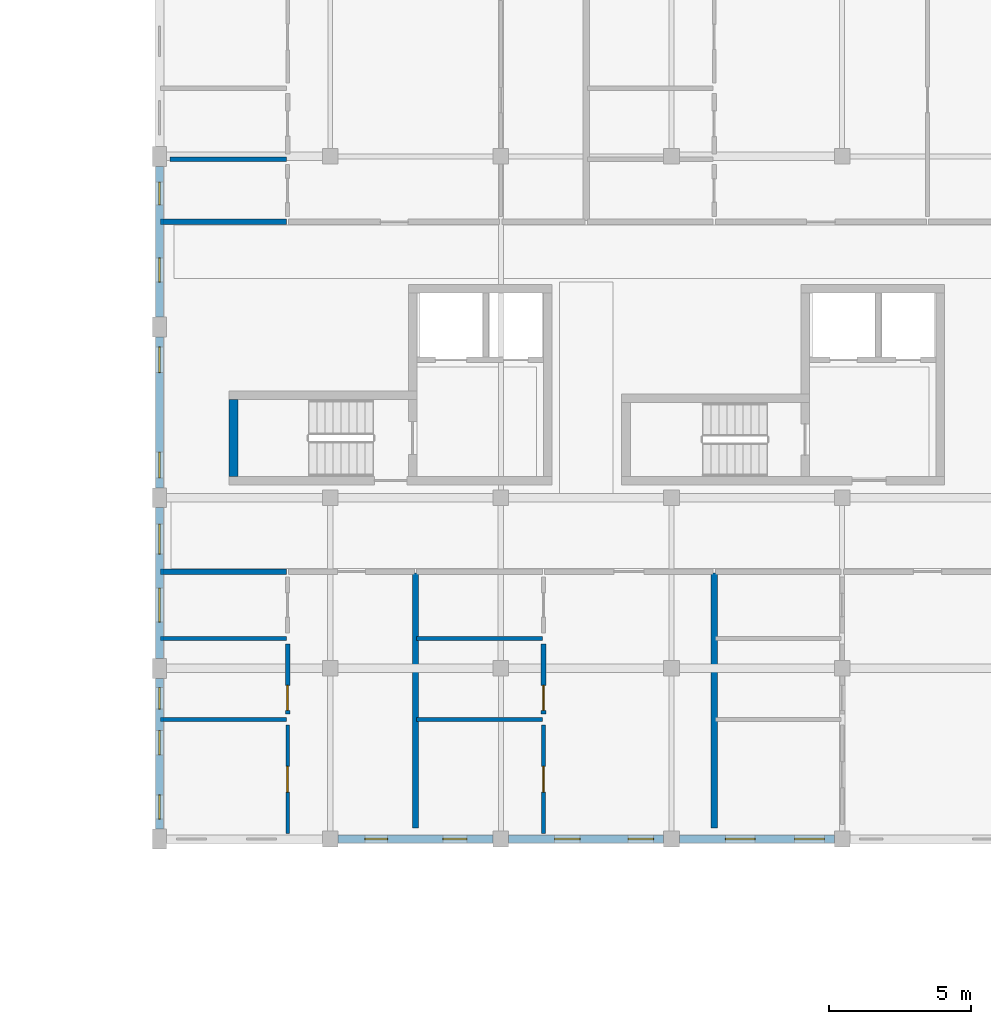
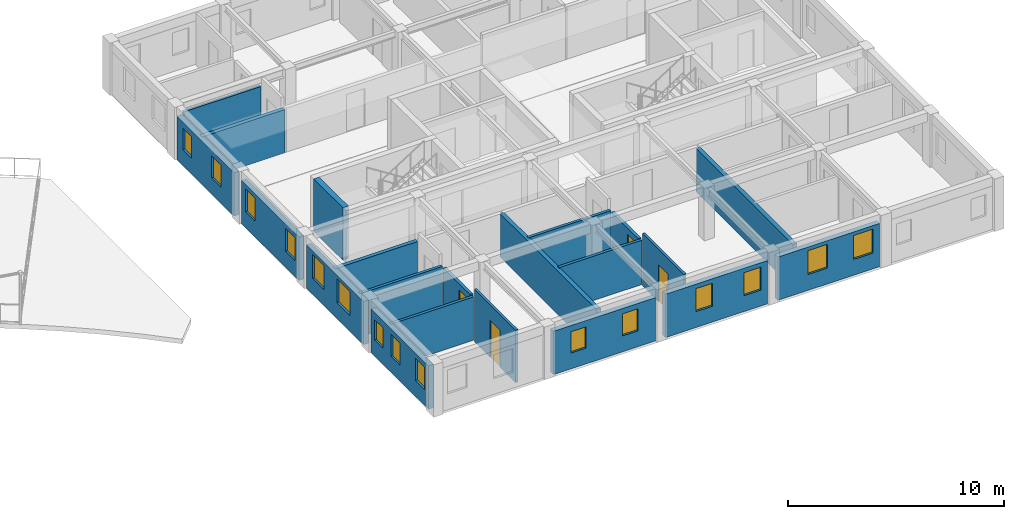
# One storey, part 40 of 58: 21 walls, 15 windows, 4 doors, 19 openings.
"""IFC4 building model written with IfcOpenShell, lengths in metres."""

from ifc_helpers import new_model, si_unit, direction, frame, frame_2d, origin, place, context, subcontext, project, spatial, rectangle, extrude, material, layer, layer_set, type_object, element, fill, save


model = new_model("IFC4")

# Units and contexts
model_context = context("Model", 3, precision=1e-05, world=origin(), true_north=direction((0.0, 1.0)))
body_context = subcontext(model_context, "Body", "Model", "MODEL_VIEW")
ifc_project = project(units=[si_unit("LENGTHUNIT", "METRE"), si_unit("AREAUNIT", "SQUARE_METRE"), si_unit("VOLUMEUNIT", "CUBIC_METRE"), si_unit("PLANEANGLEUNIT", "RADIAN"), si_unit("MASSUNIT", "GRAM", prefix="KILO"), si_unit("POWERUNIT", "WATT"), si_unit("THERMODYNAMICTEMPERATUREUNIT", "KELVIN")], contexts=[model_context])

# Site, building, storey
site_placement = place(None, origin())
site = spatial("IfcSite", under=ifc_project, at=site_placement, CompositionType="ELEMENT")
building_placement = place(site_placement, origin())
building = spatial("IfcBuilding", under=site, at=building_placement, Name="Ruvembo Vaulted Housing Court", CompositionType="ELEMENT")
storey_placement = place(building_placement, frame((0.0, 0.0, 20.5)))
storey = spatial("IfcBuildingStorey", under=building, at=storey_placement, Name="L06", CompositionType="ELEMENT", Elevation=20.5)

# Walls
ifc_material_1 = material(Name="Concrete C35/45", Category="concrete")
ifc_layer_1 = layer(ifc_material_1, 0.300048828125, Name="Concrete C35/45")
ifc_layer_set_1 = layer_set([ifc_layer_1], Name="Concrete C35/45")
wall_type_1 = type_object("IfcWallType", Name="WL-CORE-300", PredefinedType="SHEAR", material=ifc_layer_set_1)
wall_1_placement = place(storey_placement, frame((158.60009765625, 87.449951171875, 0.0), z_axis=(0.0, 0.0, 1.0), x_axis=(0.0, -1.0, 0.0)))
element("IfcWall", 1, at=wall_1_placement, inside=storey, type_object=wall_type_1, Name="Core D1 L06 Stair West Shear Wall", PredefinedType="SHEAR", context=body_context, shape_type="SweptSolid", body=[
    extrude(rectangle(XDim=2.699951171875, YDim=0.300048828125, at=frame_2d((1.35009765625, 0.0))), origin(), (0.0, 0.0, 1.0), 2.969970703125),
])
ifc_material_2 = material(Name="Concrete Blockwork 200", Category="masonry")
ifc_layer_2 = layer(ifc_material_2, 0.199951171875, Name="Concrete Blockwork 200")
ifc_layer_set_2 = layer_set([ifc_layer_2], Name="Concrete Blockwork 200")
wall_type_2 = type_object("IfcWallType", Name="WL-CORR-200", PredefinedType="SOLIDWALL", material=ifc_layer_set_2)
for number, where, z_axis, x_axis, name in (
    (2, (156.0400390625, 81.39990234375, 0.0), (0.0, 0.0, 1.0), (1.0, 0.0, 0.0), "L06 Flat D-L06-S1 Corridor Wall WL-INT-L06-01821"),
    (3, (156.0400390625, 93.699951171875, 0.0), (0.0, 0.0, 1.0), (1.0, 0.0, 0.0), "L06 Flat D-L06-N1 Corridor Wall WL-INT-L06-01844"),
):
    element("IfcWall", number, at=place(storey_placement, frame(where, z_axis=z_axis, x_axis=x_axis)), inside=storey, type_object=wall_type_2, Name=name, PredefinedType="SOLIDWALL", context=body_context, shape_type="SweptSolid", body=[
        extrude(rectangle(XDim=4.419921875, YDim=0.199951171875, at=frame_2d((2.2099609375, 0.0))), origin(), (0.0, 0.0, 1.0), 2.451904296875),
    ])
ifc_material_3 = material(Name="Acoustic Masonry Demising 220", Category="masonry")
ifc_layer_3 = layer(ifc_material_3, 0.219970703125, Name="Acoustic Masonry Demising 220")
ifc_layer_set_3 = layer_set([ifc_layer_3], Name="Acoustic Masonry Demising 220")
wall_type_3 = type_object("IfcWallType", Name="WL-DEM-200", PredefinedType="SOLIDWALL", material=ifc_layer_set_3)
for number, where, z_axis, x_axis, name in (
    (4, (165.0, 72.389892578125, 0.0), (0.0, 0.0, 1.0), (0.0, 1.0, 0.0), "L06 Demising D-L06-S1 WL-INT-L06-01820"),
    (5, (175.5, 72.389892578125, 0.0), (0.0, 0.0, 1.0), (0.0, 1.0, 0.0), "L06 Demising D-L06-S2 WL-INT-L06-01828"),
):
    element("IfcWall", number, at=place(storey_placement, frame(where, z_axis=z_axis, x_axis=x_axis)), inside=storey, type_object=wall_type_3, Name=name, PredefinedType="SOLIDWALL", context=body_context, shape_type="SweptSolid", body=[
        extrude(rectangle(XDim=8.97021484375, YDim=0.219970703125, at=frame_2d((4.485107421875, 0.0))), origin(), (0.0, 0.0, 1.0), 2.451904296875),
    ])

# Wall, openings, windows
ifc_material_4 = material(Name="Rendered Masonry 270", Category="masonry")
ifc_layer_4 = layer(ifc_material_4, 0.27001953125, Name="Rendered Masonry 270")
ifc_layer_set_4 = layer_set([ifc_layer_4], Name="Rendered Masonry 270")
wall_type_4 = type_object("IfcWallType", Name="WL-EXT-270", PredefinedType="STANDARD", material=ifc_layer_set_4)
wall_2_placement = place(storey_placement, frame((162.27490234375, 72.0, 0.0), z_axis=(0.0, 0.0, 1.0), x_axis=(1.0, 0.0, 0.0)))
wall_2 = element("IfcWall", 6, at=wall_2_placement, inside=storey, type_object=wall_type_4, Name="Block D L06 Exterior Wall COURTYARD #2", PredefinedType="STANDARD", context=body_context, shape_type="SweptSolid", body=[
    extrude(rectangle(XDim=5.4501953125, YDim=0.27001953125, at=frame_2d((2.72509765625, 0.0))), origin(), (0.0, 0.0, 1.0), 2.451904296875),
])
opening_1_placement = place(wall_2_placement, frame((0.9423828125, 0.0, 0.89990234375)))
opening_1 = element("IfcOpeningElement", 7, at=opening_1_placement, cuts=wall_2, Name="Opening W02", PredefinedType="OPENING", context=body_context, shape_type="SweptSolid", body=[
    extrude(rectangle(XDim=0.800048828125, YDim=1.199951171875, at=frame_2d((0.39990234375, 0.60009765625))), frame((0.0, 0.14501953125, 0.0), z_axis=(0.0, -1.0, 0.0), x_axis=(1.0, 0.0, 0.0)), (0.0, 0.0, 1.0), 0.2900390625),
])
opening_2_placement = place(wall_2_placement, frame((3.6826171875, 0.0, 0.89990234375)))
opening_2 = element("IfcOpeningElement", 8, at=opening_2_placement, cuts=wall_2, Name="Opening W03", PredefinedType="OPENING", context=body_context, shape_type="SweptSolid", body=[
    extrude(rectangle(XDim=0.85009765625, YDim=1.25, at=frame_2d((0.425048828125, 0.625))), frame((0.0, 0.14501953125, 0.0), z_axis=(0.0, -1.0, 0.0), x_axis=(1.0, 0.0, 0.0)), (0.0, 0.0, 1.0), 0.2900390625),
])
ifc_material_5 = material(Name="Double Solar-Control Glazing in Aluminium Frame", Category="aluminium")
window_type_1 = type_object("IfcWindowType", Name="WIN-0800x1200", PartitioningType="SINGLE_PANEL", PredefinedType="WINDOW", material=ifc_material_5)
window_1_placement = place(opening_1_placement, origin())
window_1 = element("IfcWindow", 9, at=window_1_placement, inside=storey, type_object=window_type_1, Name="Block D L06 Window #1704", OverallHeight=1.199951171875, OverallWidth=0.800048828125, PartitioningType="SINGLE_PANEL", PredefinedType="WINDOW", context=body_context, shape_type="SweptSolid", body=[
    extrude(rectangle(XDim=0.800048828125, YDim=1.199951171875, at=frame_2d((0.39990234375, 0.60009765625))), frame((0.0, 0.030029296875, 0.0), z_axis=(0.0, -1.0, 0.0), x_axis=(1.0, 0.0, 0.0)), (0.0, 0.0, 1.0), 0.06005859375),
])
fill(opening_1, window_1)
window_type_2 = type_object("IfcWindowType", Name="WIN-0850x1250", PartitioningType="SINGLE_PANEL", PredefinedType="WINDOW", material=ifc_material_5)
window_2_placement = place(opening_2_placement, origin())
window_2 = element("IfcWindow", 10, at=window_2_placement, inside=storey, type_object=window_type_2, Name="Block D L06 Window #1705", OverallHeight=1.25, OverallWidth=0.85009765625, PartitioningType="SINGLE_PANEL", PredefinedType="WINDOW", context=body_context, shape_type="SweptSolid", body=[
    extrude(rectangle(XDim=0.85009765625, YDim=1.25, at=frame_2d((0.425048828125, 0.625))), frame((0.0, 0.030029296875, 0.0), z_axis=(0.0, -1.0, 0.0), x_axis=(1.0, 0.0, 0.0)), (0.0, 0.0, 1.0), 0.06005859375),
])
fill(opening_2, window_2)

wall_3_placement = place(storey_placement, frame((168.27490234375, 72.0, 0.0), z_axis=(0.0, 0.0, 1.0), x_axis=(1.0, 0.0, 0.0)))
wall_3 = element("IfcWall", 11, at=wall_3_placement, inside=storey, type_object=wall_type_4, Name="Block D L06 Exterior Wall COURTYARD #3", PredefinedType="STANDARD", context=body_context, shape_type="SweptSolid", body=[
    extrude(rectangle(XDim=5.4501953125, YDim=0.27001953125, at=frame_2d((2.72509765625, 0.0))), origin(), (0.0, 0.0, 1.0), 2.451904296875),
])
opening_3_placement = place(wall_3_placement, frame((1.614990234375, 0.0, 0.89990234375)))
opening_3 = element("IfcOpeningElement", 12, at=opening_3_placement, cuts=wall_3, Name="Opening W04", PredefinedType="OPENING", context=body_context, shape_type="SweptSolid", body=[
    extrude(rectangle(XDim=0.89990234375, YDim=1.300048828125, at=frame_2d((0.449951171875, 0.64990234375))), frame((0.0, 0.14501953125, 0.0), z_axis=(0.0, -1.0, 0.0), x_axis=(1.0, 0.0, 0.0)), (0.0, 0.0, 1.0), 0.2900390625),
])
opening_4_placement = place(wall_3_placement, frame((4.199951171875, 0.0, 0.89990234375)))
opening_4 = element("IfcOpeningElement", 13, at=opening_4_placement, cuts=wall_3, Name="Opening W04", PredefinedType="OPENING", context=body_context, shape_type="SweptSolid", body=[
    extrude(rectangle(XDim=0.89990234375, YDim=1.300048828125, at=frame_2d((0.449951171875, 0.64990234375))), frame((0.0, 0.14501953125, 0.0), z_axis=(0.0, -1.0, 0.0), x_axis=(1.0, 0.0, 0.0)), (0.0, 0.0, 1.0), 0.2900390625),
])
window_type_3 = type_object("IfcWindowType", Name="WIN-0900x1300", PartitioningType="SINGLE_PANEL", PredefinedType="WINDOW", material=ifc_material_5)
window_3_placement = place(opening_3_placement, origin())
window_3 = element("IfcWindow", 14, at=window_3_placement, inside=storey, type_object=window_type_3, Name="Block D L06 Window #1706", OverallHeight=1.300048828125, OverallWidth=0.89990234375, PartitioningType="SINGLE_PANEL", PredefinedType="WINDOW", context=body_context, shape_type="SweptSolid", body=[
    extrude(rectangle(XDim=0.89990234375, YDim=1.300048828125, at=frame_2d((0.449951171875, 0.64990234375))), frame((0.0, 0.030029296875, 0.0), z_axis=(0.0, -1.0, 0.0), x_axis=(1.0, 0.0, 0.0)), (0.0, 0.0, 1.0), 0.06005859375),
])
fill(opening_3, window_3)
window_4_placement = place(opening_4_placement, origin())
window_4 = element("IfcWindow", 15, at=window_4_placement, inside=storey, type_object=window_type_3, Name="Block D L06 Window #1707", OverallHeight=1.300048828125, OverallWidth=0.89990234375, PartitioningType="SINGLE_PANEL", PredefinedType="WINDOW", context=body_context, shape_type="SweptSolid", body=[
    extrude(rectangle(XDim=0.89990234375, YDim=1.300048828125, at=frame_2d((0.449951171875, 0.64990234375))), frame((0.0, 0.030029296875, 0.0), z_axis=(0.0, -1.0, 0.0), x_axis=(1.0, 0.0, 0.0)), (0.0, 0.0, 1.0), 0.06005859375),
])
fill(opening_4, window_4)

wall_4_placement = place(storey_placement, frame((174.27490234375, 72.0, 0.0), z_axis=(0.0, 0.0, 1.0), x_axis=(1.0, 0.0, 0.0)))
wall_4 = element("IfcWall", 16, at=wall_4_placement, inside=storey, type_object=wall_type_4, Name="Block D L06 Exterior Wall COURTYARD #4", PredefinedType="STANDARD", context=body_context, shape_type="SweptSolid", body=[
    extrude(rectangle(XDim=5.4501953125, YDim=0.27001953125, at=frame_2d((2.72509765625, 0.0))), origin(), (0.0, 0.0, 1.0), 2.451904296875),
])
opening_5_placement = place(wall_4_placement, frame((1.614990234375, 0.0, 0.89990234375)))
opening_5 = element("IfcOpeningElement", 17, at=opening_5_placement, cuts=wall_4, Name="Opening W09", PredefinedType="OPENING", context=body_context, shape_type="SweptSolid", body=[
    extrude(rectangle(XDim=1.050048828125, YDim=1.35009765625, at=frame_2d((0.52490234375, 0.675048828125))), frame((0.0, 0.14501953125, 0.0), z_axis=(0.0, -1.0, 0.0), x_axis=(1.0, 0.0, 0.0)), (0.0, 0.0, 1.0), 0.2900390625),
])
opening_6_placement = place(wall_4_placement, frame((4.050048828125, 0.0, 0.89990234375)))
opening_6 = element("IfcOpeningElement", 18, at=opening_6_placement, cuts=wall_4, Name="Opening W09", PredefinedType="OPENING", context=body_context, shape_type="SweptSolid", body=[
    extrude(rectangle(XDim=1.050048828125, YDim=1.35009765625, at=frame_2d((0.52490234375, 0.675048828125))), frame((0.0, 0.14501953125, 0.0), z_axis=(0.0, -1.0, 0.0), x_axis=(1.0, 0.0, 0.0)), (0.0, 0.0, 1.0), 0.2900390625),
])
window_type_4 = type_object("IfcWindowType", Name="WIN-1050x1350", PartitioningType="SINGLE_PANEL", PredefinedType="WINDOW", material=ifc_material_5)
window_5_placement = place(opening_5_placement, origin())
window_5 = element("IfcWindow", 19, at=window_5_placement, inside=storey, type_object=window_type_4, Name="Block D L06 Window #1708", OverallHeight=1.35009765625, OverallWidth=1.050048828125, PartitioningType="SINGLE_PANEL", PredefinedType="WINDOW", context=body_context, shape_type="SweptSolid", body=[
    extrude(rectangle(XDim=1.050048828125, YDim=1.35009765625, at=frame_2d((0.52490234375, 0.675048828125))), frame((0.0, 0.030029296875, 0.0), z_axis=(0.0, -1.0, 0.0), x_axis=(1.0, 0.0, 0.0)), (0.0, 0.0, 1.0), 0.06005859375),
])
fill(opening_5, window_5)
window_6_placement = place(opening_6_placement, origin())
window_6 = element("IfcWindow", 20, at=window_6_placement, inside=storey, type_object=window_type_4, Name="Block D L06 Window #1709", OverallHeight=1.35009765625, OverallWidth=1.050048828125, PartitioningType="SINGLE_PANEL", PredefinedType="WINDOW", context=body_context, shape_type="SweptSolid", body=[
    extrude(rectangle(XDim=1.050048828125, YDim=1.35009765625, at=frame_2d((0.52490234375, 0.675048828125))), frame((0.0, 0.030029296875, 0.0), z_axis=(0.0, -1.0, 0.0), x_axis=(1.0, 0.0, 0.0)), (0.0, 0.0, 1.0), 0.06005859375),
])
fill(opening_6, window_6)

wall_5_placement = place(storey_placement, frame((156.0, 95.64990234375, 0.0), z_axis=(0.0, 0.0, 1.0), x_axis=(0.0, -1.0, 0.0)))
wall_5 = element("IfcWall", 21, at=wall_5_placement, inside=storey, type_object=wall_type_4, Name="Block D L06 Exterior Wall WEST #2", PredefinedType="STANDARD", context=body_context, shape_type="SweptSolid", body=[
    extrude(rectangle(XDim=5.2998046875, YDim=0.27001953125, at=frame_2d((2.64990234375, 0.0))), origin(), (0.0, 0.0, 1.0), 2.451904296875),
])
opening_7_placement = place(wall_5_placement, frame((0.554931640625, 0.0, 0.89990234375)))
opening_7 = element("IfcOpeningElement", 22, at=opening_7_placement, cuts=wall_5, Name="Opening W02", PredefinedType="OPENING", context=body_context, shape_type="SweptSolid", body=[
    extrude(rectangle(XDim=0.800048828125, YDim=1.199951171875, at=frame_2d((0.39990234375, 0.60009765625))), frame((0.0, 0.14501953125, 0.0), z_axis=(0.0, -1.0, 0.0), x_axis=(1.0, 0.0, 0.0)), (0.0, 0.0, 1.0), 0.2900390625),
])
opening_8_placement = place(wall_5_placement, frame((3.219970703125, 0.0, 0.89990234375)))
opening_8 = element("IfcOpeningElement", 23, at=opening_8_placement, cuts=wall_5, Name="Opening W03", PredefinedType="OPENING", context=body_context, shape_type="SweptSolid", body=[
    extrude(rectangle(XDim=0.85009765625, YDim=1.25, at=frame_2d((0.425048828125, 0.625))), frame((0.0, 0.14501953125, 0.0), z_axis=(0.0, -1.0, 0.0), x_axis=(1.0, 0.0, 0.0)), (0.0, 0.0, 1.0), 0.2900390625),
])
window_7_placement = place(opening_7_placement, origin())
window_7 = element("IfcWindow", 24, at=window_7_placement, inside=storey, type_object=window_type_1, Name="Block D L06 Window #1734", OverallHeight=1.199951171875, OverallWidth=0.800048828125, PartitioningType="SINGLE_PANEL", PredefinedType="WINDOW", context=body_context, shape_type="SweptSolid", body=[
    extrude(rectangle(XDim=0.800048828125, YDim=1.199951171875, at=frame_2d((0.39990234375, 0.60009765625))), frame((0.0, 0.030029296875, 0.0), z_axis=(0.0, -1.0, 0.0), x_axis=(1.0, 0.0, 0.0)), (0.0, 0.0, 1.0), 0.06005859375),
])
fill(opening_7, window_7)
window_8_placement = place(opening_8_placement, origin())
window_8 = element("IfcWindow", 25, at=window_8_placement, inside=storey, type_object=window_type_2, Name="Block D L06 Window #1735", OverallHeight=1.25, OverallWidth=0.85009765625, PartitioningType="SINGLE_PANEL", PredefinedType="WINDOW", context=body_context, shape_type="SweptSolid", body=[
    extrude(rectangle(XDim=0.85009765625, YDim=1.25, at=frame_2d((0.425048828125, 0.625))), frame((0.0, 0.030029296875, 0.0), z_axis=(0.0, -1.0, 0.0), x_axis=(1.0, 0.0, 0.0)), (0.0, 0.0, 1.0), 0.06005859375),
])
fill(opening_8, window_8)

wall_6_placement = place(storey_placement, frame((156.0, 89.64990234375, 0.0), z_axis=(0.0, 0.0, 1.0), x_axis=(0.0, -1.0, 0.0)))
wall_6 = element("IfcWall", 26, at=wall_6_placement, inside=storey, type_object=wall_type_4, Name="Block D L06 Exterior Wall WEST #3", PredefinedType="STANDARD", context=body_context, shape_type="SweptSolid", body=[
    extrude(rectangle(XDim=5.2998046875, YDim=0.27001953125, at=frame_2d((2.64990234375, 0.0))), origin(), (0.0, 0.0, 1.0), 2.451904296875),
])
opening_9_placement = place(wall_6_placement, frame((0.35009765625, 0.0, 0.89990234375)))
opening_9 = element("IfcOpeningElement", 27, at=opening_9_placement, cuts=wall_6, Name="Opening W04", PredefinedType="OPENING", context=body_context, shape_type="SweptSolid", body=[
    extrude(rectangle(XDim=0.89990234375, YDim=1.300048828125, at=frame_2d((0.449951171875, 0.64990234375))), frame((0.0, 0.14501953125, 0.0), z_axis=(0.0, -1.0, 0.0), x_axis=(1.0, 0.0, 0.0)), (0.0, 0.0, 1.0), 0.2900390625),
])
opening_10_placement = place(wall_6_placement, frame((4.050048828125, 0.0, 0.89990234375)))
opening_10 = element("IfcOpeningElement", 28, at=opening_10_placement, cuts=wall_6, Name="Opening W04", PredefinedType="OPENING", context=body_context, shape_type="SweptSolid", body=[
    extrude(rectangle(XDim=0.89990234375, YDim=1.300048828125, at=frame_2d((0.449951171875, 0.64990234375))), frame((0.0, 0.14501953125, 0.0), z_axis=(0.0, -1.0, 0.0), x_axis=(1.0, 0.0, 0.0)), (0.0, 0.0, 1.0), 0.2900390625),
])
window_9_placement = place(opening_9_placement, origin())
window_9 = element("IfcWindow", 29, at=window_9_placement, inside=storey, type_object=window_type_3, Name="Block D L06 Window #1736", OverallHeight=1.300048828125, OverallWidth=0.89990234375, PartitioningType="SINGLE_PANEL", PredefinedType="WINDOW", context=body_context, shape_type="SweptSolid", body=[
    extrude(rectangle(XDim=0.89990234375, YDim=1.300048828125, at=frame_2d((0.449951171875, 0.64990234375))), frame((0.0, 0.030029296875, 0.0), z_axis=(0.0, -1.0, 0.0), x_axis=(1.0, 0.0, 0.0)), (0.0, 0.0, 1.0), 0.06005859375),
])
fill(opening_9, window_9)
window_10_placement = place(opening_10_placement, origin())
window_10 = element("IfcWindow", 30, at=window_10_placement, inside=storey, type_object=window_type_3, Name="Block D L06 Window #1737", OverallHeight=1.300048828125, OverallWidth=0.89990234375, PartitioningType="SINGLE_PANEL", PredefinedType="WINDOW", context=body_context, shape_type="SweptSolid", body=[
    extrude(rectangle(XDim=0.89990234375, YDim=1.300048828125, at=frame_2d((0.449951171875, 0.64990234375))), frame((0.0, 0.030029296875, 0.0), z_axis=(0.0, -1.0, 0.0), x_axis=(1.0, 0.0, 0.0)), (0.0, 0.0, 1.0), 0.06005859375),
])
fill(opening_10, window_10)

wall_7_placement = place(storey_placement, frame((156.0, 83.64990234375, 0.0), z_axis=(0.0, 0.0, 1.0), x_axis=(0.0, -1.0, 0.0)))
wall_7 = element("IfcWall", 31, at=wall_7_placement, inside=storey, type_object=wall_type_4, Name="Block D L06 Exterior Wall WEST #4", PredefinedType="STANDARD", context=body_context, shape_type="SweptSolid", body=[
    extrude(rectangle(XDim=5.2998046875, YDim=0.27001953125, at=frame_2d((2.64990234375, 0.0))), origin(), (0.0, 0.0, 1.0), 2.451904296875),
])
opening_11_placement = place(wall_7_placement, frame((0.580078125, 0.0, 0.89990234375)))
opening_11 = element("IfcOpeningElement", 32, at=opening_11_placement, cuts=wall_7, Name="Opening W09", PredefinedType="OPENING", context=body_context, shape_type="SweptSolid", body=[
    extrude(rectangle(XDim=1.050048828125, YDim=1.35009765625, at=frame_2d((0.52490234375, 0.675048828125))), frame((0.0, 0.14501953125, 0.0), z_axis=(0.0, -1.0, 0.0), x_axis=(1.0, 0.0, 0.0)), (0.0, 0.0, 1.0), 0.2900390625),
])
opening_12_placement = place(wall_7_placement, frame((2.824951171875, 0.0, 0.89990234375)))
opening_12 = element("IfcOpeningElement", 33, at=opening_12_placement, cuts=wall_7, Name="Opening W12", PredefinedType="OPENING", context=body_context, shape_type="SweptSolid", body=[
    extrude(rectangle(XDim=1.199951171875, YDim=1.35009765625, at=frame_2d((0.60009765625, 0.675048828125))), frame((0.0, 0.14501953125, 0.0), z_axis=(0.0, -1.0, 0.0), x_axis=(1.0, 0.0, 0.0)), (0.0, 0.0, 1.0), 0.2900390625),
])
window_11_placement = place(opening_11_placement, origin())
window_11 = element("IfcWindow", 34, at=window_11_placement, inside=storey, type_object=window_type_4, Name="Block D L06 Window #1738", OverallHeight=1.35009765625, OverallWidth=1.050048828125, PartitioningType="SINGLE_PANEL", PredefinedType="WINDOW", context=body_context, shape_type="SweptSolid", body=[
    extrude(rectangle(XDim=1.050048828125, YDim=1.35009765625, at=frame_2d((0.52490234375, 0.675048828125))), frame((0.0, 0.030029296875, 0.0), z_axis=(0.0, -1.0, 0.0), x_axis=(1.0, 0.0, 0.0)), (0.0, 0.0, 1.0), 0.06005859375),
])
fill(opening_11, window_11)
window_type_5 = type_object("IfcWindowType", Name="WIN-1200x1350", PartitioningType="SINGLE_PANEL", PredefinedType="WINDOW", material=ifc_material_5)
window_12_placement = place(opening_12_placement, origin())
window_12 = element("IfcWindow", 35, at=window_12_placement, inside=storey, type_object=window_type_5, Name="Block D L06 Window #1739", OverallHeight=1.35009765625, OverallWidth=1.199951171875, PartitioningType="SINGLE_PANEL", PredefinedType="WINDOW", context=body_context, shape_type="SweptSolid", body=[
    extrude(rectangle(XDim=1.199951171875, YDim=1.35009765625, at=frame_2d((0.60009765625, 0.675048828125))), frame((0.0, 0.030029296875, 0.0), z_axis=(0.0, -1.0, 0.0), x_axis=(1.0, 0.0, 0.0)), (0.0, 0.0, 1.0), 0.06005859375),
])
fill(opening_12, window_12)

wall_8_placement = place(storey_placement, frame((156.0, 77.64990234375, 0.0), z_axis=(0.0, 0.0, 1.0), x_axis=(0.0, -1.0, 0.0)))
wall_8 = element("IfcWall", 36, at=wall_8_placement, inside=storey, type_object=wall_type_4, Name="Block D L06 Exterior Wall WEST #5", PredefinedType="STANDARD", context=body_context, shape_type="SweptSolid", body=[
    extrude(rectangle(XDim=5.2998046875, YDim=0.27001953125, at=frame_2d((2.64990234375, 0.0))), origin(), (0.0, 0.0, 1.0), 2.451904296875),
])
opening_13_placement = place(wall_8_placement, frame((0.330078125, 0.0, 0.89990234375)))
opening_13 = element("IfcOpeningElement", 37, at=opening_13_placement, cuts=wall_8, Name="Opening W01", PredefinedType="OPENING", context=body_context, shape_type="SweptSolid", body=[
    extrude(rectangle(XDim=0.75, YDim=1.14990234375, at=frame_2d((0.375, 0.574951171875))), frame((0.0, 0.14501953125, 0.0), z_axis=(0.0, -1.0, 0.0), x_axis=(1.0, 0.0, 0.0)), (0.0, 0.0, 1.0), 0.2900390625),
])
opening_14_placement = place(wall_8_placement, frame((1.840087890625, 0.0, 0.89990234375)))
opening_14 = element("IfcOpeningElement", 38, at=opening_14_placement, cuts=wall_8, Name="Opening W03", PredefinedType="OPENING", context=body_context, shape_type="SweptSolid", body=[
    extrude(rectangle(XDim=0.85009765625, YDim=1.25, at=frame_2d((0.425048828125, 0.625))), frame((0.0, 0.14501953125, 0.0), z_axis=(0.0, -1.0, 0.0), x_axis=(1.0, 0.0, 0.0)), (0.0, 0.0, 1.0), 0.2900390625),
])
opening_15_placement = place(wall_8_placement, frame((4.10009765625, 0.0, 0.89990234375)))
opening_15 = element("IfcOpeningElement", 39, at=opening_15_placement, cuts=wall_8, Name="Opening W03", PredefinedType="OPENING", context=body_context, shape_type="SweptSolid", body=[
    extrude(rectangle(XDim=0.85009765625, YDim=1.25, at=frame_2d((0.425048828125, 0.625))), frame((0.0, 0.14501953125, 0.0), z_axis=(0.0, -1.0, 0.0), x_axis=(1.0, 0.0, 0.0)), (0.0, 0.0, 1.0), 0.2900390625),
])
window_type_6 = type_object("IfcWindowType", Name="WIN-0750x1150", PartitioningType="SINGLE_PANEL", PredefinedType="WINDOW", material=ifc_material_5)
window_13_placement = place(opening_13_placement, origin())
window_13 = element("IfcWindow", 40, at=window_13_placement, inside=storey, type_object=window_type_6, Name="Block D L06 Window #1740", OverallHeight=1.14990234375, OverallWidth=0.75, PartitioningType="SINGLE_PANEL", PredefinedType="WINDOW", context=body_context, shape_type="SweptSolid", body=[
    extrude(rectangle(XDim=0.75, YDim=1.14990234375, at=frame_2d((0.375, 0.574951171875))), frame((0.0, 0.030029296875, 0.0), z_axis=(0.0, -1.0, 0.0), x_axis=(1.0, 0.0, 0.0)), (0.0, 0.0, 1.0), 0.06005859375),
])
fill(opening_13, window_13)
window_14_placement = place(opening_14_placement, origin())
window_14 = element("IfcWindow", 41, at=window_14_placement, inside=storey, type_object=window_type_2, Name="Block D L06 Window #1741", OverallHeight=1.25, OverallWidth=0.85009765625, PartitioningType="SINGLE_PANEL", PredefinedType="WINDOW", context=body_context, shape_type="SweptSolid", body=[
    extrude(rectangle(XDim=0.85009765625, YDim=1.25, at=frame_2d((0.425048828125, 0.625))), frame((0.0, 0.030029296875, 0.0), z_axis=(0.0, -1.0, 0.0), x_axis=(1.0, 0.0, 0.0)), (0.0, 0.0, 1.0), 0.06005859375),
])
fill(opening_14, window_14)
window_15_placement = place(opening_15_placement, origin())
window_15 = element("IfcWindow", 42, at=window_15_placement, inside=storey, type_object=window_type_2, Name="Block D L06 Window #1742", OverallHeight=1.25, OverallWidth=0.85009765625, PartitioningType="SINGLE_PANEL", PredefinedType="WINDOW", context=body_context, shape_type="SweptSolid", body=[
    extrude(rectangle(XDim=0.85009765625, YDim=1.25, at=frame_2d((0.425048828125, 0.625))), frame((0.0, 0.030029296875, 0.0), z_axis=(0.0, -1.0, 0.0), x_axis=(1.0, 0.0, 0.0)), (0.0, 0.0, 1.0), 0.06005859375),
])
fill(opening_15, window_15)

# Wall, opening, door
ifc_material_6 = material(Name="Plasterboard Stud Partition 125", Category="gypsum")
ifc_layer_5 = layer(ifc_material_6, 0.125, Name="Plasterboard Stud Partition 125")
ifc_layer_set_5 = layer_set([ifc_layer_5], Name="Plasterboard Stud Partition 125")
wall_type_5 = type_object("IfcWallType", Name="WL-PART-125", PredefinedType="PARTITIONING", material=ifc_layer_set_5)
wall_9_placement = place(storey_placement, frame((160.5, 72.18994140625, 0.0), z_axis=(0.0, 0.0, 1.0), x_axis=(0.0, 1.0, 0.0)))
wall_9 = element("IfcWall", 43, at=wall_9_placement, inside=storey, type_object=wall_type_5, Name="L06 Flat D-L06-S1 Bedroom 1 WL-INT-L06-01823", PredefinedType="PARTITIONING", context=body_context, shape_type="SweptSolid", body=[
    extrude(rectangle(XDim=3.820068359375, YDim=0.125, at=frame_2d((1.91015625, 0.0))), origin(), (0.0, 0.0, 1.0), 2.969970703125),
])
opening_16_placement = place(wall_9_placement, frame((1.4599609375, 0.0, 0.0)))
opening_16 = element("IfcOpeningElement", 44, at=opening_16_placement, cuts=wall_9, Name="Opening ID1", PredefinedType="OPENING", context=body_context, shape_type="SweptSolid", body=[
    extrude(rectangle(XDim=0.89990234375, YDim=2.10009765625, at=frame_2d((0.449951171875, 1.050048828125))), frame((0.0, 0.072509765625, 0.0), z_axis=(0.0, -1.0, 0.0), x_axis=(1.0, 0.0, 0.0)), (0.0, 0.0, 1.0), 0.14501953125),
])
ifc_material_7 = material(Name="FSC Hardwood and Engineered Timber", Category="wood")
door_type_1 = type_object("IfcDoorType", Name="DR-ROOM-0900x2100", OperationType="NOTDEFINED", PredefinedType="DOOR", material=ifc_material_7)
door_1_placement = place(opening_16_placement, origin())
door_1 = element("IfcDoor", 45, at=door_1_placement, inside=storey, type_object=door_type_1, Name="L06 Flat D-L06-S1 Bedroom 1 Door DR-INT-L06-01028", OperationType="SINGLE_SWING_RIGHT", OverallHeight=2.10009765625, OverallWidth=0.89990234375, PredefinedType="DOOR", context=body_context, shape_type="SweptSolid", body=[
    extrude(rectangle(XDim=0.89990234375, YDim=2.10009765625, at=frame_2d((0.449951171875, 1.050048828125))), frame((0.0, 0.02490234375, 0.0), z_axis=(0.0, -1.0, 0.0), x_axis=(1.0, 0.0, 0.0)), (0.0, 0.0, 1.0), 0.050048828125),
])
fill(opening_16, door_1)

wall_10_placement = place(storey_placement, frame((169.5, 72.18994140625, 0.0), z_axis=(0.0, 0.0, 1.0), x_axis=(0.0, 1.0, 0.0)))
wall_10 = element("IfcWall", 46, at=wall_10_placement, inside=storey, type_object=wall_type_5, Name="L06 Flat D-L06-S2 Bedroom 1 WL-INT-L06-01831", PredefinedType="PARTITIONING", context=body_context, shape_type="SweptSolid", body=[
    extrude(rectangle(XDim=3.820068359375, YDim=0.125, at=frame_2d((1.91015625, 0.0))), origin(), (0.0, 0.0, 1.0), 2.969970703125),
])
opening_17_placement = place(wall_10_placement, frame((1.4599609375, 0.0, 0.0)))
opening_17 = element("IfcOpeningElement", 47, at=opening_17_placement, cuts=wall_10, Name="Opening ID1", PredefinedType="OPENING", context=body_context, shape_type="SweptSolid", body=[
    extrude(rectangle(XDim=0.89990234375, YDim=2.10009765625, at=frame_2d((0.449951171875, 1.050048828125))), frame((0.0, 0.072509765625, 0.0), z_axis=(0.0, -1.0, 0.0), x_axis=(1.0, 0.0, 0.0)), (0.0, 0.0, 1.0), 0.14501953125),
])
door_2_placement = place(opening_17_placement, origin())
door_2 = element("IfcDoor", 48, at=door_2_placement, inside=storey, type_object=door_type_1, Name="L06 Flat D-L06-S2 Bedroom 1 Door DR-INT-L06-01032", OperationType="SINGLE_SWING_RIGHT", OverallHeight=2.10009765625, OverallWidth=0.89990234375, PredefinedType="DOOR", context=body_context, shape_type="SweptSolid", body=[
    extrude(rectangle(XDim=0.89990234375, YDim=2.10009765625, at=frame_2d((0.449951171875, 1.050048828125))), frame((0.0, 0.02490234375, 0.0), z_axis=(0.0, -1.0, 0.0), x_axis=(1.0, 0.0, 0.0)), (0.0, 0.0, 1.0), 0.050048828125),
])
fill(opening_17, door_2)

# Walls
ifc_material_8 = material(Name="Moisture-Resistant Wet Partition 150", Category="gypsum")
ifc_layer_6 = layer(ifc_material_8, 0.14990234375, Name="Moisture-Resistant Wet Partition 150")
ifc_layer_set_6 = layer_set([ifc_layer_6], Name="Moisture-Resistant Wet Partition 150")
wall_type_6 = type_object("IfcWallType", Name="WL-PART-150", PredefinedType="PARTITIONING", material=ifc_layer_set_6)
for number, where, z_axis, x_axis, name in (
    (49, (156.0400390625, 76.199951171875, 0.0), (0.0, 0.0, 1.0), (1.0, 0.0, 0.0), "L06 Flat D-L06-S1 Wet Wall 1 WL-INT-L06-01826"),
    (50, (156.0400390625, 79.050048828125, 0.0), (0.0, 0.0, 1.0), (1.0, 0.0, 0.0), "L06 Flat D-L06-S1 Wet Wall 2 WL-INT-L06-01827"),
):
    element("IfcWall", number, at=place(storey_placement, frame(where, z_axis=z_axis, x_axis=x_axis)), inside=storey, type_object=wall_type_6, Name=name, PredefinedType="PARTITIONING", context=body_context, shape_type="SweptSolid", body=[
        extrude(rectangle(XDim=4.419921875, YDim=0.14990234375, at=frame_2d((2.2099609375, 0.0))), origin(), (0.0, 0.0, 1.0), 2.451904296875),
    ])
wall_11_placement = place(storey_placement, frame((165.0400390625, 76.199951171875, 0.0), z_axis=(0.0, 0.0, 1.0), x_axis=(1.0, 0.0, 0.0)))
element("IfcWall", 51, at=wall_11_placement, inside=storey, type_object=wall_type_6, Name="L06 Flat D-L06-S2 Wet Wall 1 WL-INT-L06-01834", PredefinedType="PARTITIONING", context=body_context, shape_type="SweptSolid", body=[
    extrude(rectangle(XDim=4.419921875, YDim=0.14990234375, at=frame_2d((2.2099609375, 0.0))), origin(), (0.0, 0.0, 1.0), 2.508056640625),
])
wall_12_placement = place(storey_placement, frame((165.0400390625, 79.050048828125, 0.0), z_axis=(0.0, 0.0, 1.0), x_axis=(1.0, 0.0, 0.0)))
element("IfcWall", 52, at=wall_12_placement, inside=storey, type_object=wall_type_6, Name="L06 Flat D-L06-S2 Wet Wall 2 WL-INT-L06-01835", PredefinedType="PARTITIONING", context=body_context, shape_type="SweptSolid", body=[
    extrude(rectangle(XDim=4.419921875, YDim=0.14990234375, at=frame_2d((2.2099609375, 0.0))), origin(), (0.0, 0.0, 1.0), 2.4580078125),
])
wall_13_placement = place(storey_placement, frame((156.360107421875, 95.89990234375, 0.0), z_axis=(0.0, 0.0, 1.0), x_axis=(1.0, 0.0, 0.0)))
element("IfcWall", 53, at=wall_13_placement, inside=storey, type_object=wall_type_6, Name="L06 Flat D-L06-N1 Wet Wall 2 WL-INT-L06-01850", PredefinedType="PARTITIONING", context=body_context, shape_type="SweptSolid", body=[
    extrude(rectangle(XDim=4.099853515625, YDim=0.14990234375, at=frame_2d((2.0498046875, 0.0))), origin(), (0.0, 0.0, 1.0), 2.407958984375),
])

# Wall, opening, door
ifc_material_9 = material(Name="Acoustic Service Chase Wall 160", Category="gypsum")
ifc_layer_7 = layer(ifc_material_9, 0.159912109375, Name="Acoustic Service Chase Wall 160")
ifc_layer_set_7 = layer_set([ifc_layer_7], Name="Acoustic Service Chase Wall 160")
wall_type_7 = type_object("IfcWallType", Name="WL-PLUMB-160", PredefinedType="PLUMBINGWALL", material=ifc_layer_set_7)
wall_14_placement = place(storey_placement, frame((160.5, 76.389892578125, 0.0), z_axis=(0.0, 0.0, 1.0), x_axis=(0.0, 1.0, 0.0)))
wall_14 = element("IfcWall", 54, at=wall_14_placement, inside=storey, type_object=wall_type_7, Name="L06 Flat D-L06-S1 Kitchen WL-INT-L06-01824", PredefinedType="PLUMBINGWALL", context=body_context, shape_type="SweptSolid", body=[
    extrude(rectangle(XDim=2.47021484375, YDim=0.159912109375, at=frame_2d((1.235107421875, 0.0))), origin(), (0.0, 0.0, 1.0), 2.451904296875),
])
opening_18_placement = place(wall_14_placement, frame((0.1298828125, 0.0, 0.0)))
opening_18 = element("IfcOpeningElement", 55, at=opening_18_placement, cuts=wall_14, Name="Opening ID3", PredefinedType="OPENING", context=body_context, shape_type="SweptSolid", body=[
    extrude(rectangle(XDim=0.8798828125, YDim=2.10009765625, at=frame_2d((0.43994140625, 1.050048828125))), frame((0.0, 0.08984375, 0.0), z_axis=(0.0, -1.0, 0.0), x_axis=(1.0, 0.0, 0.0)), (0.0, 0.0, 1.0), 0.179931640625),
])
door_type_2 = type_object("IfcDoorType", Name="DR-ROOM-0880x2100", OperationType="NOTDEFINED", PredefinedType="DOOR", material=ifc_material_7)
door_3_placement = place(opening_18_placement, origin())
door_3 = element("IfcDoor", 56, at=door_3_placement, inside=storey, type_object=door_type_2, Name="L06 Flat D-L06-S1 Kitchen Door DR-INT-L06-01029", OperationType="SINGLE_SWING_LEFT", OverallHeight=2.10009765625, OverallWidth=0.8798828125, PredefinedType="DOOR", context=body_context, shape_type="SweptSolid", body=[
    extrude(rectangle(XDim=0.8798828125, YDim=2.10009765625, at=frame_2d((0.43994140625, 1.050048828125))), frame((0.0, 0.02490234375, 0.0), z_axis=(0.0, -1.0, 0.0), x_axis=(1.0, 0.0, 0.0)), (0.0, 0.0, 1.0), 0.050048828125),
])
fill(opening_18, door_3)

wall_15_placement = place(storey_placement, frame((169.5, 76.389892578125, 0.0), z_axis=(0.0, 0.0, 1.0), x_axis=(0.0, 1.0, 0.0)))
wall_15 = element("IfcWall", 57, at=wall_15_placement, inside=storey, type_object=wall_type_7, Name="L06 Flat D-L06-S2 Kitchen WL-INT-L06-01832", PredefinedType="PLUMBINGWALL", context=body_context, shape_type="SweptSolid", body=[
    extrude(rectangle(XDim=2.47021484375, YDim=0.159912109375, at=frame_2d((1.235107421875, 0.0))), origin(), (0.0, 0.0, 1.0), 2.451904296875),
])
opening_19_placement = place(wall_15_placement, frame((0.1298828125, 0.0, 0.0)))
opening_19 = element("IfcOpeningElement", 58, at=opening_19_placement, cuts=wall_15, Name="Opening ID3", PredefinedType="OPENING", context=body_context, shape_type="SweptSolid", body=[
    extrude(rectangle(XDim=0.8798828125, YDim=2.10009765625, at=frame_2d((0.43994140625, 1.050048828125))), frame((0.0, 0.08984375, 0.0), z_axis=(0.0, -1.0, 0.0), x_axis=(1.0, 0.0, 0.0)), (0.0, 0.0, 1.0), 0.179931640625),
])
door_4_placement = place(opening_19_placement, origin())
door_4 = element("IfcDoor", 59, at=door_4_placement, inside=storey, type_object=door_type_2, Name="L06 Flat D-L06-S2 Kitchen Door DR-INT-L06-01033", OperationType="SINGLE_SWING_LEFT", OverallHeight=2.10009765625, OverallWidth=0.8798828125, PredefinedType="DOOR", context=body_context, shape_type="SweptSolid", body=[
    extrude(rectangle(XDim=0.8798828125, YDim=2.10009765625, at=frame_2d((0.43994140625, 1.050048828125))), frame((0.0, 0.02490234375, 0.0), z_axis=(0.0, -1.0, 0.0), x_axis=(1.0, 0.0, 0.0)), (0.0, 0.0, 1.0), 0.050048828125),
])
fill(opening_19, door_4)

save(model, "model.ifc")
